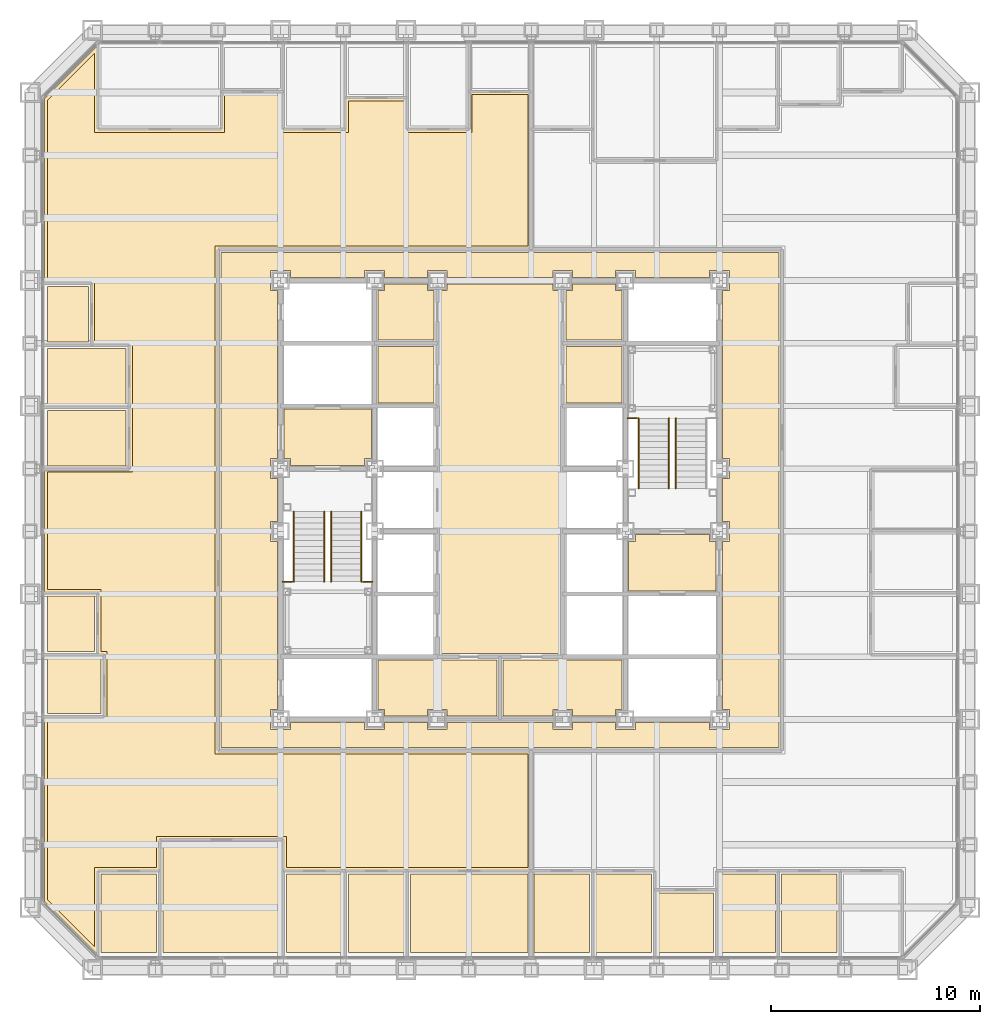
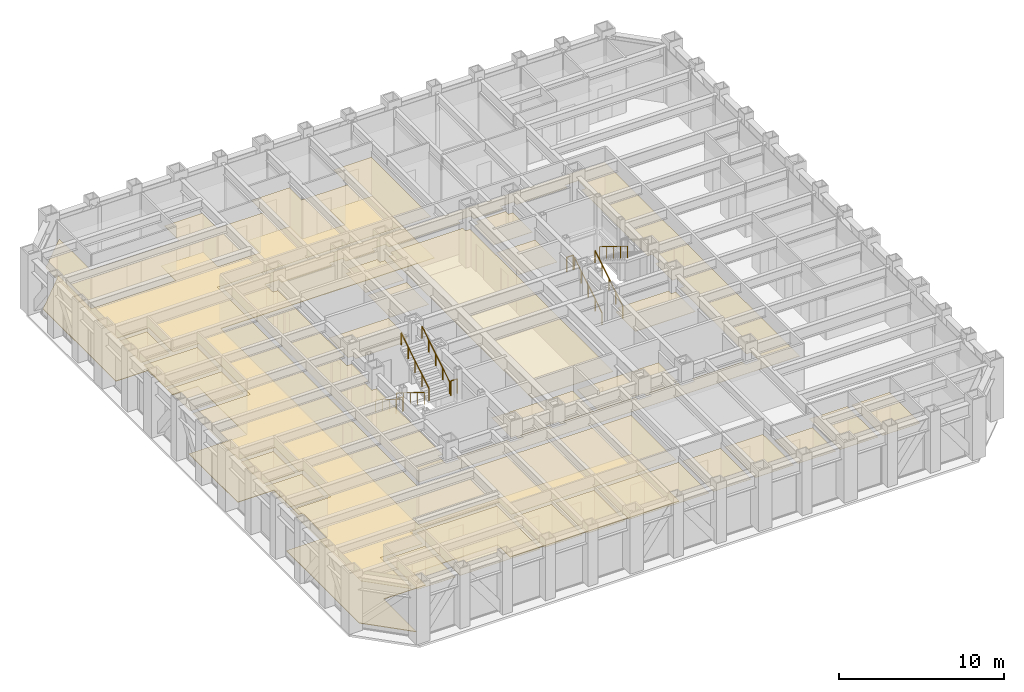
# One storey, part 14 of 16: 27 coverings, 10 railings.
"""IFC4 building model written with IfcOpenShell, lengths in metres."""

from ifc_helpers import new_model, si_unit, direction, frame, origin, origin_2d, place, context, subcontext, project, spatial, polyline, circle, outline, extrude, material, layer, layer_set, type_object, element, save


model = new_model("IFC4")

# Units and contexts
model_context = context("Model", 3, precision=1e-05, world=origin(), true_north=direction((0.0, 1.0)))
body_context = subcontext(model_context, "Body", "Model", "MODEL_VIEW")
ifc_project = project(units=[si_unit("LENGTHUNIT", "METRE"), si_unit("AREAUNIT", "SQUARE_METRE"), si_unit("VOLUMEUNIT", "CUBIC_METRE"), si_unit("PLANEANGLEUNIT", "RADIAN"), si_unit("MASSUNIT", "GRAM", prefix="KILO")], contexts=[model_context])

# Site, building, storey
site_placement = place(None, origin())
site = spatial("IfcSite", under=ifc_project, at=site_placement, CompositionType="ELEMENT")
building_placement = place(site_placement, origin())
building = spatial("IfcBuilding", under=site, at=building_placement, Name="Chuquiago Exchange Tower", CompositionType="ELEMENT")
storey_placement = place(building_placement, frame((0.0, 0.0, 60.300048828125)))
storey = spatial("IfcBuildingStorey", under=building, at=storey_placement, Name="L12", CompositionType="ELEMENT", Elevation=60.300048828125)

# Coverings
ifc_material_1 = material(Name="Mineral fibre tile, 600 x 600, on pale metal grid", Category="mineral fibre")
ifc_layer_1 = layer(ifc_material_1, 0.02001953125)
ifc_layer_set_1 = layer_set([ifc_layer_1], Name="CL1 suspended tile ceiling 20")
covering_type_1 = type_object("IfcCoveringType", Name="CL1 suspended tile ceiling 20", PredefinedType="CEILING", material=ifc_layer_set_1)
covering_1_placement = place(storey_placement, frame((0.0, 0.0, 3.0)))
element("IfcCovering", 1, at=covering_1_placement, inside=storey, type_object=covering_type_1, Name="Ceiling Trading support room", PredefinedType="CEILING", context=body_context, shape_type="SweptSolid", body=[
    extrude(outline(polyline([(3.3984375, 4.60009765625), (6.060302734375, 4.60009765625), (6.060302734375, 0.85009765625), (3.3984375, 0.85009765625), (3.3984375, 4.60009765625)])), origin(), (0.0, 0.0, 1.0), 0.02001953125),
])
covering_2_placement = place(storey_placement, frame((0.0, 0.0, 3.0)))
element("IfcCovering", 2, at=covering_2_placement, inside=storey, type_object=covering_type_1, Name="Ceiling Market data room", PredefinedType="CEILING", context=body_context, shape_type="SweptSolid", body=[
    extrude(outline(polyline([(6.3603515625, 6.10009765625), (11.98388671875, 6.10009765625), (11.98388671875, 0.85009765625), (6.3603515625, 0.85009765625), (6.3603515625, 6.10009765625)])), origin(), (0.0, 0.0, 1.0), 0.02001953125),
])
covering_3_placement = place(storey_placement, frame((0.0, 0.0, 3.0)))
element("IfcCovering", 3, at=covering_3_placement, inside=storey, type_object=covering_type_1, Name="Ceiling Office", PredefinedType="CEILING", context=body_context, shape_type="SweptSolid", body=[
    extrude(outline(polyline([(12.28369140625, 4.60009765625), (14.945556640625, 4.60009765625), (14.945556640625, 0.85009765625), (12.28369140625, 0.85009765625), (12.28369140625, 4.60009765625)])), origin(), (0.0, 0.0, 1.0), 0.02001953125),
])
covering_4_placement = place(storey_placement, frame((0.0, 0.0, 3.0)))
element("IfcCovering", 4, at=covering_4_placement, inside=storey, type_object=covering_type_1, Name="Ceiling Office", PredefinedType="CEILING", context=body_context, shape_type="SweptSolid", body=[
    extrude(outline(polyline([(15.24560546875, 4.60009765625), (17.907470703125, 4.60009765625), (17.907470703125, 0.85009765625), (15.24560546875, 0.85009765625), (15.24560546875, 4.60009765625)])), origin(), (0.0, 0.0, 1.0), 0.02001953125),
])
covering_5_placement = place(storey_placement, frame((0.0, 0.0, 3.0)))
element("IfcCovering", 5, at=covering_5_placement, inside=storey, type_object=covering_type_1, Name="Ceiling Meeting room", PredefinedType="CEILING", context=body_context, shape_type="SweptSolid", body=[
    extrude(outline(polyline([(18.20751953125, 4.60009765625), (23.830810546875, 4.60009765625), (23.830810546875, 0.85009765625), (18.20751953125, 0.85009765625), (18.20751953125, 4.60009765625)])), origin(), (0.0, 0.0, 1.0), 0.02001953125),
])
covering_6_placement = place(storey_placement, frame((0.0, 0.0, 3.0)))
element("IfcCovering", 6, at=covering_6_placement, inside=storey, type_object=covering_type_1, Name="Ceiling Office", PredefinedType="CEILING", context=body_context, shape_type="SweptSolid", body=[
    extrude(outline(polyline([(24.130859375, 4.60009765625), (26.79248046875, 4.60009765625), (26.79248046875, 0.85009765625), (24.130859375, 0.85009765625), (24.130859375, 4.60009765625)])), origin(), (0.0, 0.0, 1.0), 0.02001953125),
])
covering_7_placement = place(storey_placement, frame((0.0, 0.0, 3.0)))
element("IfcCovering", 7, at=covering_7_placement, inside=storey, type_object=covering_type_1, Name="Ceiling Office", PredefinedType="CEILING", context=body_context, shape_type="SweptSolid", body=[
    extrude(outline(polyline([(27.092529296875, 4.60009765625), (29.75439453125, 4.60009765625), (29.75439453125, 0.85009765625), (27.092529296875, 0.85009765625), (27.092529296875, 4.60009765625)])), origin(), (0.0, 0.0, 1.0), 0.02001953125),
])
covering_8_placement = place(storey_placement, frame((0.0, 0.0, 3.0)))
element("IfcCovering", 8, at=covering_8_placement, inside=storey, type_object=covering_type_1, Name="Ceiling Comms room", PredefinedType="CEILING", context=body_context, shape_type="SweptSolid", body=[
    extrude(outline(polyline([(30.054443359375, 3.699951171875), (32.71630859375, 3.699951171875), (32.71630859375, 0.85009765625), (30.054443359375, 0.85009765625), (30.054443359375, 3.699951171875)])), origin(), (0.0, 0.0, 1.0), 0.02001953125),
])
covering_9_placement = place(storey_placement, frame((0.0, 0.0, 3.0)))
element("IfcCovering", 9, at=covering_9_placement, inside=storey, type_object=covering_type_1, Name="Ceiling Trading support room", PredefinedType="CEILING", context=body_context, shape_type="SweptSolid", body=[
    extrude(outline(polyline([(33.01611328125, 4.60009765625), (35.677978515625, 4.60009765625), (35.677978515625, 0.85009765625), (33.01611328125, 0.85009765625), (33.01611328125, 4.60009765625)])), origin(), (0.0, 0.0, 1.0), 0.02001953125),
])
covering_10_placement = place(storey_placement, frame((0.0, 0.0, 3.0)))
element("IfcCovering", 10, at=covering_10_placement, inside=storey, type_object=covering_type_1, Name="Ceiling Trading support room", PredefinedType="CEILING", context=body_context, shape_type="SweptSolid", body=[
    extrude(outline(polyline([(35.977783203125, 4.60009765625), (38.6396484375, 4.60009765625), (38.6396484375, 0.85009765625), (35.977783203125, 0.85009765625), (35.977783203125, 4.60009765625)])), origin(), (0.0, 0.0, 1.0), 0.02001953125),
])
covering_11_placement = place(storey_placement, frame((0.0, 0.0, 3.0)))
element("IfcCovering", 11, at=covering_11_placement, inside=storey, type_object=covering_type_1, Name="Ceiling Pantry", PredefinedType="CEILING", context=body_context, shape_type="SweptSolid", body=[
    extrude(outline(polyline([(3.39990234375, 14.945556640625), (3.39990234375, 12.28369140625), (0.85009765625, 12.28369140625), (0.85009765625, 14.945556640625), (3.39990234375, 14.945556640625)])), origin(), (0.0, 0.0, 1.0), 0.02001953125),
])
covering_12_placement = place(storey_placement, frame((0.0, 0.0, 3.0)))
element("IfcCovering", 12, at=covering_12_placement, inside=storey, type_object=covering_type_1, Name="Ceiling Store", PredefinedType="CEILING", context=body_context, shape_type="SweptSolid", body=[
    extrude(outline(polyline([(3.10009765625, 17.907470703125), (3.10009765625, 15.24560546875), (0.85009765625, 15.24560546875), (0.85009765625, 17.907470703125), (3.10009765625, 17.907470703125)])), origin(), (0.0, 0.0, 1.0), 0.02001953125),
])
covering_13_placement = place(storey_placement, frame((0.0, 0.0, 3.0)))
element("IfcCovering", 13, at=covering_13_placement, inside=storey, type_object=covering_type_1, Name="Ceiling Office", PredefinedType="CEILING", context=body_context, shape_type="SweptSolid", body=[
    extrude(outline(polyline([(4.60009765625, 26.79248046875), (4.60009765625, 24.130859375), (0.85009765625, 24.130859375), (0.85009765625, 26.79248046875), (4.60009765625, 26.79248046875)])), origin(), (0.0, 0.0, 1.0), 0.02001953125),
])
covering_14_placement = place(storey_placement, frame((0.0, 0.0, 3.0)))
element("IfcCovering", 14, at=covering_14_placement, inside=storey, type_object=covering_type_1, Name="Ceiling Office", PredefinedType="CEILING", context=body_context, shape_type="SweptSolid", body=[
    extrude(outline(polyline([(4.60009765625, 29.75439453125), (4.60009765625, 27.092529296875), (0.85009765625, 27.092529296875), (0.85009765625, 29.75439453125), (4.60009765625, 29.75439453125)])), origin(), (0.0, 0.0, 1.0), 0.02001953125),
])
covering_15_placement = place(storey_placement, frame((0.0, 0.0, 3.0)))
element("IfcCovering", 15, at=covering_15_placement, inside=storey, type_object=covering_type_1, Name="Ceiling Focus room", PredefinedType="CEILING", context=body_context, shape_type="SweptSolid", body=[
    extrude(outline(polyline([(2.800048828125, 32.71630859375), (2.800048828125, 30.054443359375), (0.85009765625, 30.054443359375), (0.85009765625, 32.71630859375), (2.800048828125, 32.71630859375)])), origin(), (0.0, 0.0, 1.0), 0.02001953125),
])
covering_16_placement = place(storey_placement, frame((0.0, 0.0, 3.0)))
element("IfcCovering", 16, at=covering_16_placement, inside=storey, type_object=covering_type_1, Name="Ceiling Trading floor west suite", PredefinedType="CEILING", context=body_context, shape_type="SweptSolid", body=[
    extrude(outline(polyline([(3.098388671875, 40.10009765625), (9.322021484375, 40.10009765625), (9.322021484375, 41.89990234375), (11.98388671875, 41.89990234375), (11.98388671875, 40.10009765625), (15.24560546875, 40.10009765625), (15.24560546875, 41.60009765625), (17.907470703125, 41.60009765625), (17.907470703125, 40.10009765625), (21.169189453125, 40.10009765625), (21.169189453125, 41.89990234375), (23.830322265625, 41.89990234375), (23.830322265625, 34.650390625), (8.849609375, 34.64990234375), (8.849609375, 10.349853515625), (23.830322265625, 10.349609375), (23.830322265625, 4.89990234375), (12.28369140625, 4.89990234375), (12.28369140625, 6.39990234375), (6.060302734375, 6.39990234375), (6.060302734375, 4.89990234375), (3.098388671875, 4.89990234375), (3.098388671875, 1.103515625), (0.85009765625, 3.35205078125), (0.85009765625, 11.98388671875), (3.699951171875, 11.98388671875), (3.699951171875, 15.24560546875), (3.39990234375, 15.24560546875), (3.39990234375, 18.20751953125), (0.85009765625, 18.20751953125), (0.85009765625, 23.830810546875), (4.89990234375, 23.830810546875), (4.89990234375, 30.054443359375), (3.10009765625, 30.054443359375), (3.10009765625, 33.01611328125), (0.85009765625, 33.01611328125), (0.85009765625, 41.64794921875), (3.098388671875, 43.896484375), (3.098388671875, 40.10009765625)])), origin(), (0.0, 0.0, 1.0), 0.02001953125),
])
covering_17_placement = place(storey_placement, frame((0.0, 0.0, 3.0)))
element("IfcCovering", 17, at=covering_17_placement, inside=storey, type_object=covering_type_1, Name="Ceiling Tenant corridor", PredefinedType="CEILING", context=body_context, shape_type="SweptSolid", body=[
    extrude(outline(polyline([(9.14990234375, 34.35009765625), (35.85009765625, 34.35009765625), (35.85009765625, 10.64990234375), (9.14990234375, 10.64990234375), (9.14990234375, 34.35009765625)]), holes=[polyline([(11.85009765625, 24.47509765625), (11.52490234375, 24.47509765625), (11.52490234375, 23.52490234375), (11.85009765625, 23.52490234375), (11.85009765625, 21.47509765625), (11.52490234375, 21.47509765625), (11.52490234375, 20.52490234375), (11.85009765625, 20.52490234375), (11.85009765625, 12.47509765625), (11.52490234375, 12.47509765625), (11.52490234375, 11.52490234375), (12.47509765625, 11.52490234375), (12.47509765625, 11.85009765625), (16.02490234375, 11.85009765625), (16.02490234375, 11.52490234375), (16.97509765625, 11.52490234375), (16.97509765625, 11.85009765625), (19.02490234375, 11.85009765625), (19.02490234375, 11.52490234375), (19.97509765625, 11.52490234375), (19.97509765625, 11.85009765625), (25.02490234375, 11.85009765625), (25.02490234375, 11.52490234375), (25.97509765625, 11.52490234375), (25.97509765625, 11.85009765625), (28.02490234375, 11.85009765625), (28.02490234375, 11.52490234375), (28.97509765625, 11.52490234375), (28.97509765625, 11.85009765625), (32.52490234375, 11.85009765625), (32.52490234375, 11.52490234375), (33.47509765625, 11.52490234375), (33.47509765625, 12.47509765625), (33.14990234375, 12.47509765625), (33.14990234375, 20.52490234375), (33.47509765625, 20.52490234375), (33.47509765625, 21.47509765625), (33.14990234375, 21.47509765625), (33.14990234375, 23.52490234375), (33.47509765625, 23.52490234375), (33.47509765625, 24.47509765625), (33.14990234375, 24.47509765625), (33.14990234375, 32.52490234375), (33.47509765625, 32.52490234375), (33.47509765625, 33.47509765625), (32.52490234375, 33.47509765625), (32.52490234375, 33.14990234375), (28.97509765625, 33.14990234375), (28.97509765625, 33.47509765625), (28.02490234375, 33.47509765625), (28.02490234375, 33.14990234375), (25.97509765625, 33.14990234375), (25.97509765625, 33.47509765625), (25.02490234375, 33.47509765625), (25.02490234375, 33.14990234375), (19.97509765625, 33.14990234375), (19.97509765625, 33.47509765625), (19.02490234375, 33.47509765625), (19.02490234375, 33.14990234375), (16.97509765625, 33.14990234375), (16.97509765625, 33.47509765625), (16.02490234375, 33.47509765625), (16.02490234375, 33.14990234375), (12.47509765625, 33.14990234375), (12.47509765625, 33.47509765625), (11.52490234375, 33.47509765625), (11.52490234375, 32.52490234375), (11.85009765625, 32.52490234375), (11.85009765625, 24.47509765625)])]), origin(), (0.0, 0.0, 1.0), 0.02001953125),
])
covering_18_placement = place(storey_placement, frame((0.0, 0.0, 3.0)))
element("IfcCovering", 18, at=covering_18_placement, inside=storey, type_object=covering_type_1, Name="Ceiling Baby change room", PredefinedType="CEILING", context=body_context, shape_type="SweptSolid", body=[
    extrude(outline(polyline([(25.64990234375, 30.14990234375), (25.64990234375, 32.52490234375), (25.97509765625, 32.52490234375), (25.97509765625, 32.85009765625), (28.02490234375, 32.85009765625), (28.02490234375, 32.52490234375), (28.35009765625, 32.52490234375), (28.35009765625, 30.14990234375), (25.64990234375, 30.14990234375)])), origin(), (0.0, 0.0, 1.0), 0.02001953125),
])
ifc_material_2 = material(Name="Moisture resistant plasterboard on metal frame", Category="gypsum")
ifc_layer_2 = layer(ifc_material_2, 0.014892578125)
ifc_layer_set_2 = layer_set([ifc_layer_2], Name="CL2 moisture resistant ceiling 15")
covering_type_2 = type_object("IfcCoveringType", Name="CL2 moisture resistant ceiling 15", PredefinedType="CEILING", material=ifc_layer_set_2)
covering_19_placement = place(storey_placement, frame((0.0, 0.0, 2.599853515625)))
element("IfcCovering", 19, at=covering_19_placement, inside=storey, type_object=covering_type_2, Name="Ceiling Male WC", PredefinedType="CEILING", context=body_context, shape_type="SweptSolid", body=[
    extrude(outline(polyline([(16.64990234375, 27.14990234375), (16.64990234375, 29.85009765625), (19.35009765625, 29.85009765625), (19.35009765625, 27.14990234375), (16.64990234375, 27.14990234375)])), origin(), (0.0, 0.0, 1.0), 0.01513671875),
])
covering_20_placement = place(storey_placement, frame((0.0, 0.0, 2.599853515625)))
element("IfcCovering", 20, at=covering_20_placement, inside=storey, type_object=covering_type_2, Name="Ceiling Staff shower room", PredefinedType="CEILING", context=body_context, shape_type="SweptSolid", body=[
    extrude(outline(polyline([(16.64990234375, 30.14990234375), (16.64990234375, 32.52490234375), (16.97509765625, 32.52490234375), (16.97509765625, 32.85009765625), (19.02490234375, 32.85009765625), (19.02490234375, 32.52490234375), (19.35009765625, 32.52490234375), (19.35009765625, 30.14990234375), (16.64990234375, 30.14990234375)])), origin(), (0.0, 0.0, 1.0), 0.01513671875),
])
covering_21_placement = place(storey_placement, frame((0.0, 0.0, 2.599853515625)))
element("IfcCovering", 21, at=covering_21_placement, inside=storey, type_object=covering_type_2, Name="Ceiling Female WC", PredefinedType="CEILING", context=body_context, shape_type="SweptSolid", body=[
    extrude(outline(polyline([(25.64990234375, 27.14990234375), (25.64990234375, 29.85009765625), (28.35009765625, 29.85009765625), (28.35009765625, 27.14990234375), (25.64990234375, 27.14990234375)])), origin(), (0.0, 0.0, 1.0), 0.01513671875),
])
covering_22_placement = place(storey_placement, frame((0.0, 0.0, 2.599853515625)))
element("IfcCovering", 22, at=covering_22_placement, inside=storey, type_object=covering_type_2, Name="Ceiling Accessible WC", PredefinedType="CEILING", context=body_context, shape_type="SweptSolid", body=[
    extrude(outline(polyline([(25.97509765625, 12.14990234375), (25.97509765625, 12.47509765625), (25.02490234375, 12.47509765625), (25.02490234375, 12.14990234375), (22.64990234375, 12.14990234375), (22.64990234375, 14.85009765625), (28.35009765625, 14.85009765625), (28.35009765625, 12.47509765625), (28.02490234375, 12.47509765625), (28.02490234375, 12.14990234375), (25.97509765625, 12.14990234375)])), origin(), (0.0, 0.0, 1.0), 0.01513671875),
])
covering_23_placement = place(storey_placement, frame((0.0, 0.0, 2.599853515625)))
element("IfcCovering", 23, at=covering_23_placement, inside=storey, type_object=covering_type_2, Name="Ceiling Cleaner", PredefinedType="CEILING", context=body_context, shape_type="SweptSolid", body=[
    extrude(outline(polyline([(19.97509765625, 12.14990234375), (19.97509765625, 12.47509765625), (19.02490234375, 12.47509765625), (19.02490234375, 12.14990234375), (16.97509765625, 12.14990234375), (16.97509765625, 12.47509765625), (16.64990234375, 12.47509765625), (16.64990234375, 14.85009765625), (22.35009765625, 14.85009765625), (22.35009765625, 12.14990234375), (19.97509765625, 12.14990234375)])), origin(), (0.0, 0.0, 1.0), 0.01513671875),
])
ifc_material_3 = material(Name="Pale metal plank ceiling, perforated", Category="aluminium")
ifc_layer_3 = layer(ifc_material_3, 0.030029296875)
ifc_layer_set_3 = layer_set([ifc_layer_3], Name="CL3 metal plank ceiling 30")
covering_type_3 = type_object("IfcCoveringType", Name="CL3 metal plank ceiling 30", PredefinedType="CEILING", material=ifc_layer_set_3)
covering_24_placement = place(storey_placement, frame((0.0, 0.0, 2.800048828125)))
element("IfcCovering", 24, at=covering_24_placement, inside=storey, type_object=covering_type_3, Name="Ceiling Lift lobby", PredefinedType="CEILING", context=body_context, shape_type="SweptSolid", body=[
    extrude(outline(polyline([(19.64990234375, 15.14990234375), (19.64990234375, 32.52490234375), (19.97509765625, 32.52490234375), (19.97509765625, 32.85009765625), (25.02490234375, 32.85009765625), (25.02490234375, 32.52490234375), (25.35009765625, 32.52490234375), (25.35009765625, 15.14990234375), (19.64990234375, 15.14990234375)])), origin(), (0.0, 0.0, 1.0), 0.02978515625),
])
covering_25_placement = place(storey_placement, frame((0.0, 0.0, 2.800048828125)))
element("IfcCovering", 25, at=covering_25_placement, inside=storey, type_object=covering_type_3, Name="Ceiling Firefighting lobby", PredefinedType="CEILING", context=body_context, shape_type="SweptSolid", body=[
    extrude(outline(polyline([(12.47509765625, 24.14990234375), (12.47509765625, 24.47509765625), (12.14990234375, 24.47509765625), (12.14990234375, 26.85009765625), (16.35009765625, 26.85009765625), (16.35009765625, 24.47509765625), (16.02490234375, 24.47509765625), (16.02490234375, 24.14990234375), (12.47509765625, 24.14990234375)])), origin(), (0.0, 0.0, 1.0), 0.02978515625),
])
covering_26_placement = place(storey_placement, frame((0.0, 0.0, 2.800048828125)))
element("IfcCovering", 26, at=covering_26_placement, inside=storey, type_object=covering_type_3, Name="Ceiling Firefighting lobby", PredefinedType="CEILING", context=body_context, shape_type="SweptSolid", body=[
    extrude(outline(polyline([(28.64990234375, 18.14990234375), (28.64990234375, 20.52490234375), (28.97509765625, 20.52490234375), (28.97509765625, 20.85009765625), (32.52490234375, 20.85009765625), (32.52490234375, 20.52490234375), (32.85009765625, 20.52490234375), (32.85009765625, 18.14990234375), (28.64990234375, 18.14990234375)])), origin(), (0.0, 0.0, 1.0), 0.02978515625),
])

# Railings
ifc_material_4 = material(Name="Pale metal guard with safety glass infill", Category="glass")
railing_type_1 = type_object("IfcRailingType", Name="GR1 guard 1100", PredefinedType="GUARDRAIL", material=ifc_material_4)
for number, where, name in (
    (27, (12.10009765625, 18.590087890625, 2.25), "Guard ST1 L12 landing 2"),
    (28, (15.945068359375, 18.590087890625, 2.25), "Guard ST1 L12 landing 2"),
    (29, (28.60009765625, 26.409912109375, 2.25), "Guard ST2 L12 landing 2"),
):
    element("IfcRailing", number, at=place(storey_placement, frame(where)), inside=storey, type_object=railing_type_1, Name=name, PredefinedType="GUARDRAIL", context=body_context, shape_type="SweptSolid", body=[
        extrude(circle(Radius=0.02392578125, at=origin_2d()), frame((0.0, 0.0, 1.076171875), z_axis=(1.0, 0.0, 0.0), x_axis=(0.0, 1.0, 0.0)), (0.0, 0.0, 1.0), 0.454833984375),
        extrude(circle(Radius=0.02099609375, at=origin_2d()), origin(), (0.0, 0.0, 1.0), 1.052001953125),
        extrude(circle(Radius=0.02099609375, at=origin_2d()), frame((0.454833984375, 0.0, 0.0)), (0.0, 0.0, 1.0), 1.052001953125),
    ])
ifc_material_5 = material(Name="Pale metal handrail", Category="steel")
railing_type_2 = type_object("IfcRailingType", Name="HR1 handrail 900", PredefinedType="HANDRAIL", material=ifc_material_5)
for number, where, name in (
    (30, (12.635009765625, 21.949951171875, 0.173095703125), "Handrail ST1 L12 flight 1"),
    (31, (14.0849609375, 21.949951171875, 0.173095703125), "Handrail ST1 L12 flight 1"),
):
    element("IfcRailing", number, at=place(storey_placement, frame(where)), inside=storey, type_object=railing_type_2, Name=name, PredefinedType="HANDRAIL", context=body_context, shape_type="SweptSolid", body=[
        extrude(circle(Radius=0.02392578125, at=origin_2d()), frame((0.0, 0.0, 0.8759765625), z_axis=(0.0, -0.850606129759, 0.525803396734), x_axis=(1.0, 0.0, 0.0)), (0.0, 0.0, 1.0), 3.949951171875),
        extrude(circle(Radius=0.02099609375, at=origin_2d()), origin(), (0.0, 0.0, 1.0), 0.851806640625),
        extrude(circle(Radius=0.02099609375, at=origin_2d()), frame((0.0, -0.83984375, 0.519287109375)), (0.0, 0.0, 1.0), 0.851806640625),
        extrude(circle(Radius=0.02099609375, at=origin_2d()), frame((0.0, -1.679931640625, 1.03857421875)), (0.0, 0.0, 1.0), 0.851806640625),
        extrude(circle(Radius=0.02099609375, at=origin_2d()), frame((0.0, -2.52001953125, 1.5576171875)), (0.0, 0.0, 1.0), 0.851806640625),
        extrude(circle(Radius=0.02099609375, at=origin_2d()), frame((0.0, -3.35986328125, 2.076904296875)), (0.0, 0.0, 1.0), 0.851806640625),
    ])
for number, where, name in (
    (32, (15.864990234375, 18.590087890625, 2.423095703125), "Handrail ST1 L12 flight 2"),
    (33, (14.4150390625, 18.590087890625, 2.423095703125), "Handrail ST1 L12 flight 2"),
    (34, (30.5849609375, 23.050048828125, 0.173095703125), "Handrail ST2 L12 flight 1"),
    (35, (29.135009765625, 23.050048828125, 0.173095703125), "Handrail ST2 L12 flight 1"),
):
    element("IfcRailing", number, at=place(storey_placement, frame(where)), inside=storey, type_object=railing_type_2, Name=name, PredefinedType="HANDRAIL", context=body_context, shape_type="SweptSolid", body=[
        extrude(circle(Radius=0.02392578125, at=origin_2d()), frame((0.0, 0.0, 0.8759765625), z_axis=(0.0, 0.850606129759, 0.525803396734), x_axis=(-1.0, 0.0, 0.0)), (0.0, 0.0, 1.0), 3.949951171875),
        extrude(circle(Radius=0.02099609375, at=origin_2d()), origin(), (0.0, 0.0, 1.0), 0.851806640625),
        extrude(circle(Radius=0.02099609375, at=origin_2d()), frame((0.0, 0.83984375, 0.519287109375)), (0.0, 0.0, 1.0), 0.851806640625),
        extrude(circle(Radius=0.02099609375, at=origin_2d()), frame((0.0, 1.679931640625, 1.03857421875)), (0.0, 0.0, 1.0), 0.851806640625),
        extrude(circle(Radius=0.02099609375, at=origin_2d()), frame((0.0, 2.52001953125, 1.5576171875)), (0.0, 0.0, 1.0), 0.851806640625),
        extrude(circle(Radius=0.02099609375, at=origin_2d()), frame((0.0, 3.35986328125, 2.076904296875)), (0.0, 0.0, 1.0), 0.851806640625),
    ])
railing_placement = place(storey_placement, frame((30.9150390625, 26.409912109375, 2.423095703125)))
element("IfcRailing", 36, at=railing_placement, inside=storey, type_object=railing_type_2, Name="Handrail ST2 L12 flight 2", PredefinedType="HANDRAIL", context=body_context, shape_type="SweptSolid", body=[
    extrude(circle(Radius=0.02392578125, at=origin_2d()), frame((0.0, 0.0, 0.8759765625), z_axis=(0.0, -0.850606129759, 0.525803396734), x_axis=(1.0, 0.0, 0.0)), (0.0, 0.0, 1.0), 3.949951171875),
    extrude(circle(Radius=0.02099609375, at=origin_2d()), origin(), (0.0, 0.0, 1.0), 0.851806640625),
    extrude(circle(Radius=0.02099609375, at=origin_2d()), frame((0.0, -0.83984375, 0.519287109375)), (0.0, 0.0, 1.0), 0.851806640625),
    extrude(circle(Radius=0.02099609375, at=origin_2d()), frame((0.0, -1.679931640625, 1.03857421875)), (0.0, 0.0, 1.0), 0.851806640625),
    extrude(circle(Radius=0.02099609375, at=origin_2d()), frame((0.0, -2.52001953125, 1.5576171875)), (0.0, 0.0, 1.0), 0.851806640625),
    extrude(circle(Radius=0.02099609375, at=origin_2d()), frame((0.0, -3.35986328125, 2.076904296875)), (0.0, 0.0, 1.0), 0.851806640625),
])

# Covering
ifc_material_6 = material(Name="Steel raised floor panel", Category="steel")
ifc_layer_4 = layer(ifc_material_6, 0.0400390625)
ifc_layer_set_4 = layer_set([ifc_layer_4], Name="RF1 raised access floor 40")
covering_type_4 = type_object("IfcCoveringType", Name="RF1 raised access floor 40", PredefinedType="FLOORING", material=ifc_layer_set_4)
covering_27_placement = place(storey_placement, frame((0.0, 0.0, -0.0400390625)))
element("IfcCovering", 37, at=covering_27_placement, inside=storey, type_object=covering_type_4, Name="Raised access floor Trading floor west suite", PredefinedType="FLOORING", context=body_context, shape_type="SweptSolid", body=[
    extrude(outline(polyline([(3.550048828125, 15.095703125), (3.25, 15.095703125), (3.25, 18.057373046875), (0.699951171875, 18.057373046875), (0.699951171875, 23.98095703125), (4.75, 23.98095703125), (4.75, 29.904296875), (2.949951171875, 29.904296875), (2.949951171875, 32.8662109375), (0.699951171875, 32.8662109375), (0.699951171875, 41.710205078125), (3.289794921875, 44.300048828125), (3.24853515625, 44.258544921875), (3.24853515625, 40.25), (9.172119140625, 40.25), (9.172119140625, 42.050048828125), (12.1337890625, 42.050048828125), (12.1337890625, 40.25), (15.095703125, 40.25), (15.095703125, 41.75), (18.057373046875, 41.75), (18.057373046875, 40.25), (21.01904296875, 40.25), (21.01904296875, 42.050048828125), (23.98046875, 42.050048828125), (23.98046875, 34.50048828125), (8.99951171875, 34.5), (8.99951171875, 10.499755859375), (23.98046875, 10.49951171875), (23.98046875, 4.75), (12.1337890625, 4.75), (12.1337890625, 6.25), (6.210205078125, 6.25), (6.210205078125, 4.75), (3.24853515625, 4.75), (3.24853515625, 0.741455078125), (0.699951171875, 3.289794921875), (0.699951171875, 12.1337890625), (3.550048828125, 12.1337890625), (3.550048828125, 15.095703125)])), origin(), (0.0, 0.0, 1.0), 0.0400390625),
])

save(model, "model.ifc")
